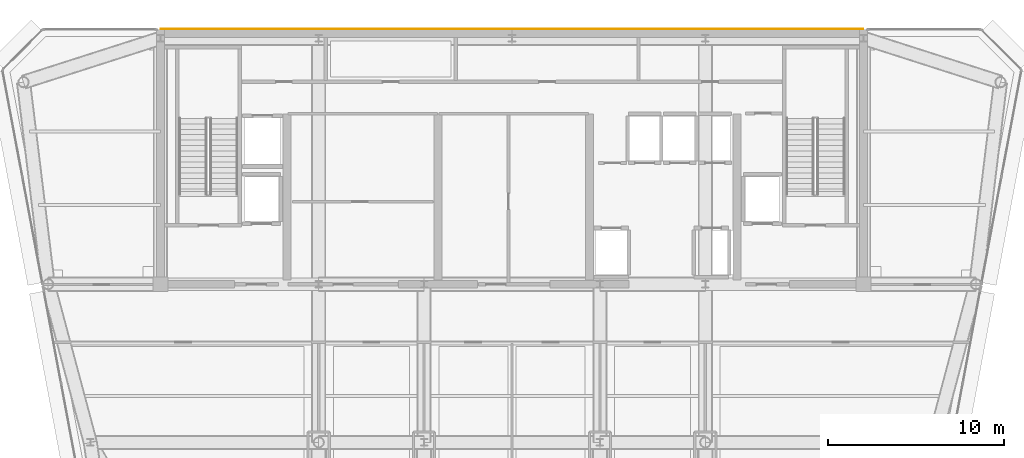
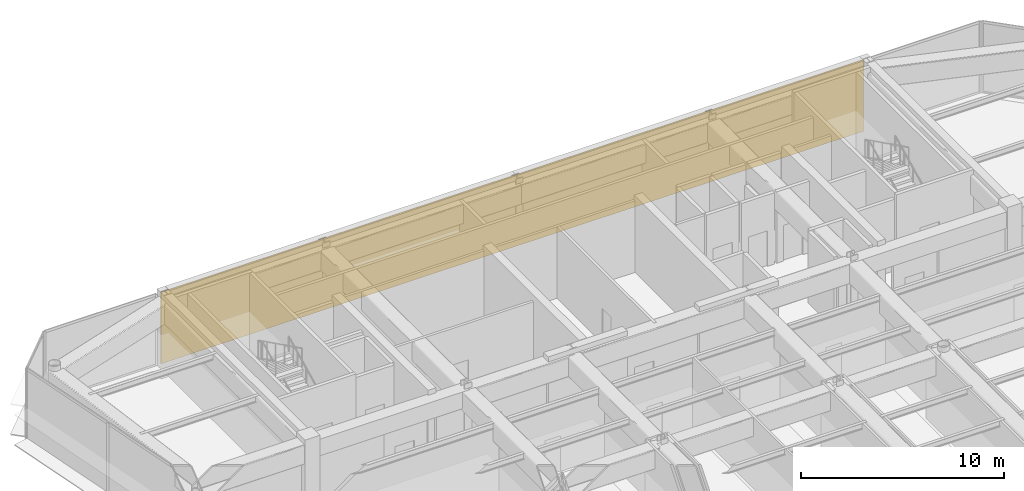
# One storey, part 19 of 20: 1 covering.
"""IFC4 building model written with IfcOpenShell, lengths in metres."""

from ifc_helpers import new_model, si_unit, direction, frame, origin, place, context, subcontext, project, spatial, polyline, outline, extrude, material, layer, layer_set, type_object, element, save


model = new_model("IFC4")

# Units and contexts
model_context = context("Model", 3, precision=1e-05, world=origin(), true_north=direction((0.0, 1.0)))
body_context = subcontext(model_context, "Body", "Model", "MODEL_VIEW")
ifc_project = project(units=[si_unit("LENGTHUNIT", "METRE"), si_unit("AREAUNIT", "SQUARE_METRE"), si_unit("VOLUMEUNIT", "CUBIC_METRE"), si_unit("PLANEANGLEUNIT", "RADIAN"), si_unit("MASSUNIT", "GRAM", prefix="KILO")], contexts=[model_context])

# Site, building, storey
site_placement = place(None, origin())
site = spatial("IfcSite", under=ifc_project, at=site_placement, CompositionType="ELEMENT")
building_placement = place(site_placement, origin())
building = spatial("IfcBuilding", under=site, at=building_placement, Name="Vaeldorn Concourse Tower", CompositionType="ELEMENT")
storey_placement = place(building_placement, frame((0.0, 0.0, 299.199951171875)))
storey = spatial("IfcBuildingStorey", under=building, at=storey_placement, Name="L77", CompositionType="ELEMENT", Elevation=299.199951171875)

# Covering
ifc_material = material(Name="Anodised Bronze Aluminium", Category="aluminium")
ifc_layer = layer(ifc_material, 0.050048828125)
ifc_layer_set = layer_set([ifc_layer], Name="Anodised Bronze Aluminium")
covering_type = type_object("IfcCoveringType", Name="COV-CLAD-BRONZE", PredefinedType="CLADDING", material=ifc_layer_set)
covering_placement = place(storey_placement, origin())
element("IfcCovering", 1, at=covering_placement, inside=storey, type_object=covering_type, Name="Rear Core Bronze Spandrel Cladding L77", PredefinedType="CLADDING", context=body_context, shape_type="SweptSolid", body=[
    extrude(outline(polyline([(14.0, 51.0), (54.0, 51.0), (54.0, 51.050048828125), (14.0, 51.050048828125), (14.0, 51.0)])), origin(), (0.0, 0.0, 1.0), 4.300048828125),
])

save(model, "model.ifc")
